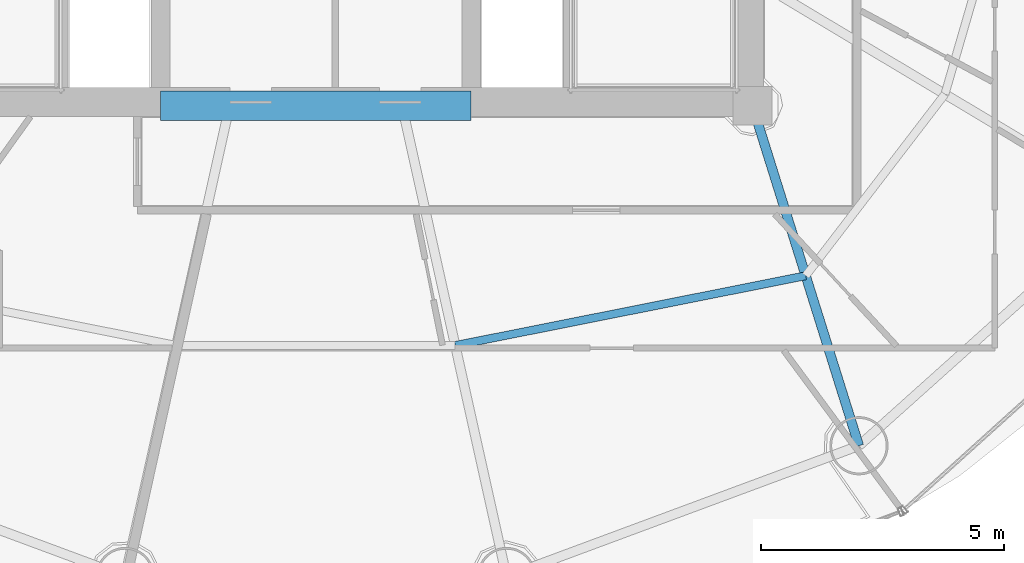
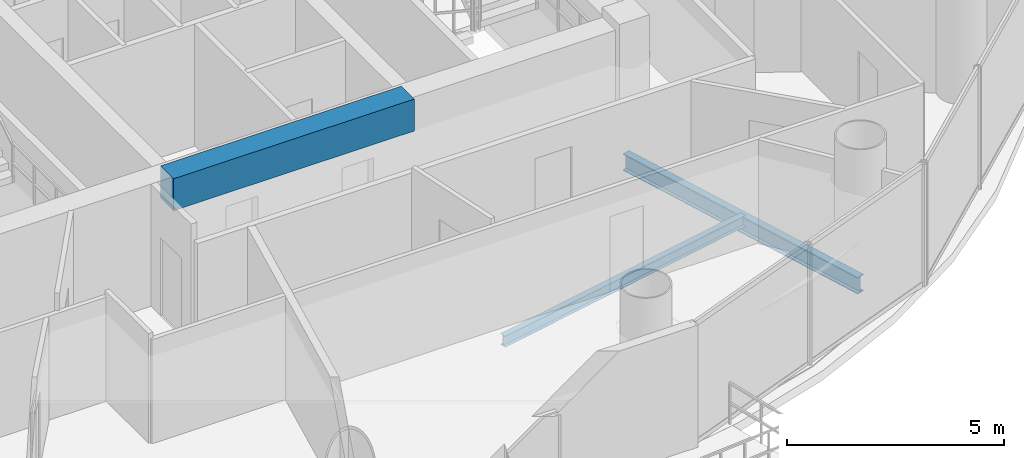
# One storey, part 6 of 26: 3 beams.
"""IFC4 building model written with IfcOpenShell, lengths in metres."""

from ifc_helpers import new_model, si_unit, direction, frame, origin, origin_2d, place, context, subcontext, project, spatial, rectangle, i_section, extrude, material, material_profile, profile_set, type_object, element, save


model = new_model("IFC4")

# Units and contexts
model_context = context("Model", 3, precision=1e-05, world=origin(), true_north=direction((-0.2419218956, 0.970295726276)))
body_context = subcontext(model_context, "Body", "Model", "MODEL_VIEW")
ifc_project = project(units=[si_unit("LENGTHUNIT", "METRE"), si_unit("AREAUNIT", "SQUARE_METRE"), si_unit("VOLUMEUNIT", "CUBIC_METRE"), si_unit("PLANEANGLEUNIT", "RADIAN"), si_unit("MASSUNIT", "GRAM", prefix="KILO")], contexts=[model_context])

# Site, building, storey
site_placement = place(None, origin())
site = spatial("IfcSite", under=ifc_project, at=site_placement, CompositionType="ELEMENT")
building_placement = place(site_placement, origin())
building = spatial("IfcBuilding", under=site, at=building_placement, Name="Cobrevalo Terracotta Tower", CompositionType="ELEMENT")
storey_placement = place(building_placement, frame((0.0, 0.0, 213.39990234375)))
storey = spatial("IfcBuildingStorey", under=building, at=storey_placement, Name="L56", CompositionType="ELEMENT", Elevation=213.39990234375)

# Beams
ifc_material_1 = material(Name="Concrete C60", Category="concrete")
ifc_material_profile_1 = material_profile(ifc_material_1, rectangle(XDim=0.60009765625, YDim=0.89990234375, at=origin_2d()), Name="RC CB 600x900")
ifc_profile_set_1 = profile_set([ifc_material_profile_1], Name="Concrete C60")
beam_type_1 = type_object("IfcBeamType", Name="Structural Beam RC CB 600x900 (Concrete C60)", PredefinedType="BEAM", material=ifc_profile_set_1)
beam_1_placement = place(storey_placement, frame((34.800048828125, 18.800048828125, 2.985107421875), z_axis=(1.0, 0.0, 0.0), x_axis=(0.0, 1.0, 0.0)))
element("IfcBeam", 1, at=beam_1_placement, inside=storey, type_object=beam_type_1, Name="L56 core coupling beam 1", PredefinedType="BEAM", context=body_context, shape_type="SweptSolid", body=[
    extrude(rectangle(XDim=0.60009765625, YDim=0.89990234375, at=origin_2d()), origin(), (0.0, 0.0, 1.0), 6.39990234375),
])
ifc_material_2 = material(Name="Steel S355", Category="steel")
ifc_material_profile_2 = material_profile(ifc_material_2, i_section(OverallWidth=0.194091796875, OverallDepth=0.468994140625, WebThickness=0.011474609375, FlangeThickness=0.0205078125, at=origin_2d()), Name="W 460x106")
ifc_profile_set_2 = profile_set([ifc_material_profile_2], Name="Steel S355")
beam_type_2 = type_object("IfcBeamType", Name="Structural Beam W 460x106 (Steel S355)", PredefinedType="BEAM", material=ifc_profile_set_2)
beam_2_placement = place(storey_placement, frame((49.19482421875, 11.7919921875, -0.49951171875), z_axis=(-0.298871212691, 0.954293454984, 0.0), x_axis=(-0.954293454984, -0.298871212691, 0.0)))
element("IfcBeam", 2, at=beam_2_placement, inside=storey, type_object=beam_type_2, Name="L56 radial floor girder 14", PredefinedType="BEAM", context=body_context, shape_type="SweptSolid", body=[
    extrude(i_section(OverallWidth=0.194091796875, OverallDepth=0.468994140625, WebThickness=0.011474609375, FlangeThickness=0.0205078125, at=origin_2d()), origin(), (0.0, 0.0, 1.0), 7.34375),
])
ifc_material_profile_3 = material_profile(ifc_material_2, i_section(OverallWidth=0.1650390625, OverallDepth=0.31005859375, WebThickness=0.005859375, FlangeThickness=0.009765625, at=origin_2d()), Name="W 310x38.7")
ifc_profile_set_3 = profile_set([ifc_material_profile_3], Name="Steel S355")
beam_type_3 = type_object("IfcBeamType", Name="Structural Joist W 310x38.7 (Steel S355)", PredefinedType="JOIST", material=ifc_profile_set_3)
beam_3_placement = place(storey_placement, frame((40.873779296875, 13.8583984375, -0.419921875), z_axis=(0.980768907748, 0.195172614871, 0.0), x_axis=(-0.195172614871, 0.980768907748, 0.0)))
element("IfcBeam", 3, at=beam_3_placement, inside=storey, type_object=beam_type_3, Name="L56 circumferential secondary floor joist 13", PredefinedType="JOIST", context=body_context, shape_type="SweptSolid", body=[
    extrude(i_section(OverallWidth=0.1650390625, OverallDepth=0.31005859375, WebThickness=0.005859375, FlangeThickness=0.009765625, at=origin_2d()), origin(), (0.0, 0.0, 1.0), 7.365234375),
])

save(model, "model.ifc")
